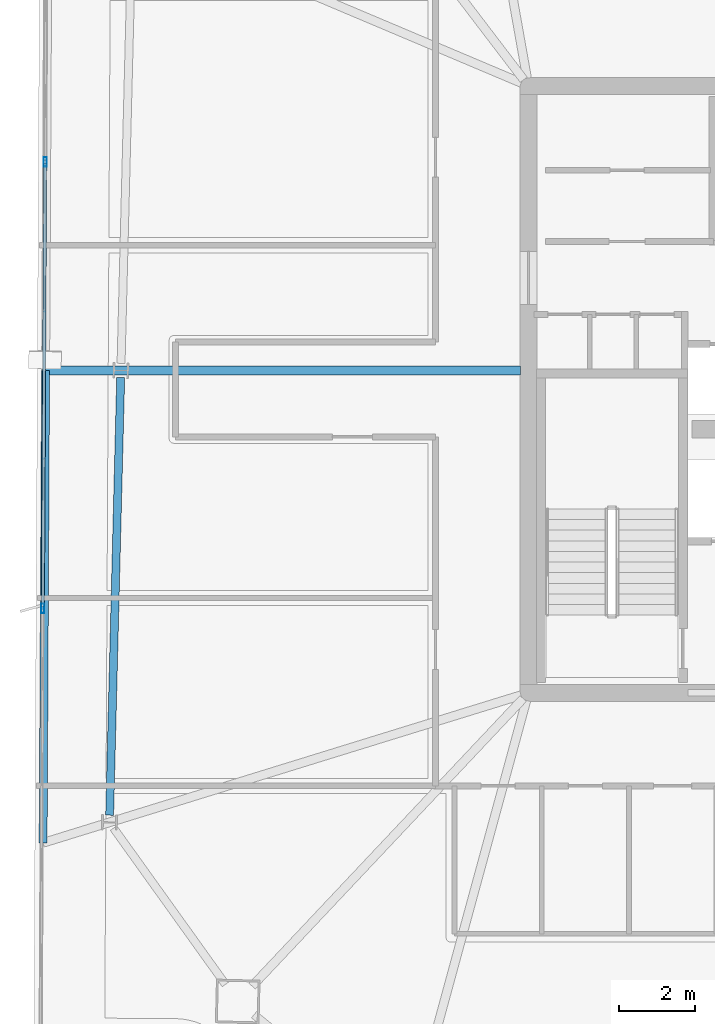
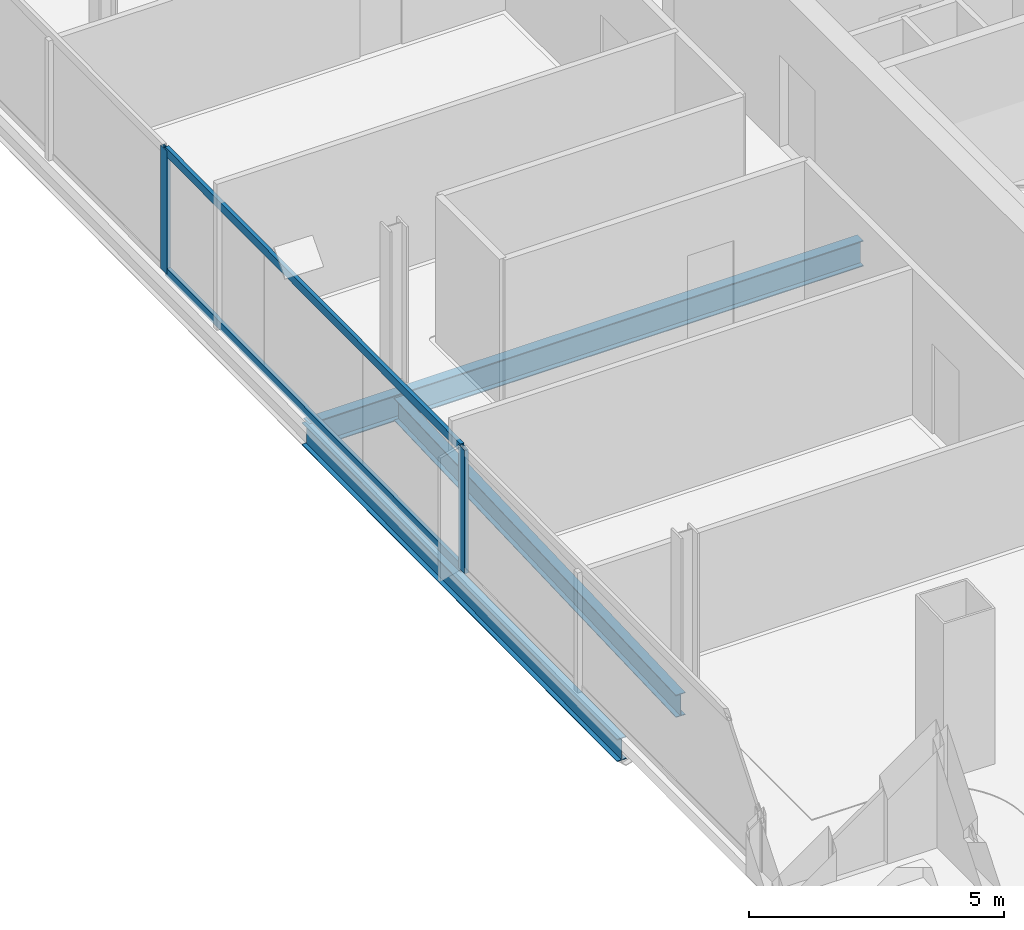
# One storey, part 6 of 24: 4 members, 3 beams, 1 element without a shape of its own.
"""IFC4 building model written with IfcOpenShell, lengths in metres."""

from ifc_helpers import new_model, si_unit, direction, frame, origin, origin_2d, place, context, subcontext, project, spatial, hollow_rectangle, i_section, extrude, material, material_profile, profile_set, type_object, element, aggregate, save


model = new_model("IFC4")

# Units and contexts
model_context = context("Model", 3, precision=1e-05, world=origin(), true_north=direction((0.0, 1.0)))
body_context = subcontext(model_context, "Body", "Model", "MODEL_VIEW")
ifc_project = project(units=[si_unit("LENGTHUNIT", "METRE"), si_unit("AREAUNIT", "SQUARE_METRE"), si_unit("VOLUMEUNIT", "CUBIC_METRE"), si_unit("PLANEANGLEUNIT", "RADIAN"), si_unit("MASSUNIT", "GRAM", prefix="KILO")], contexts=[model_context])

# Site, building, storey
site_placement = place(None, origin())
site = spatial("IfcSite", under=ifc_project, at=site_placement, CompositionType="ELEMENT")
building_placement = place(site_placement, origin())
building = spatial("IfcBuilding", under=site, at=building_placement, Name="Haldenkirk Collegiate Tower", CompositionType="ELEMENT")
storey_placement = place(building_placement, frame((0.0, 0.0, 328.949951171875)))
storey = spatial("IfcBuildingStorey", under=building, at=storey_placement, Name="L83", CompositionType="ELEMENT", Elevation=328.949951171875)

# Beams
ifc_material_1 = material(Name="Steel ASTM A992 Grade 50", Category="steel")
ifc_material_profile_1 = material_profile(ifc_material_1, i_section(OverallWidth=0.22998046875, OverallDepth=0.616943359375, WebThickness=0.01318359375, FlangeThickness=0.022216796875, at=origin_2d()), Name="W24X94")
ifc_profile_set_1 = profile_set([ifc_material_profile_1], Name="Steel ASTM A992 Grade 50")
beam_type_1 = type_object("IfcBeamType", Name="BM-GIRDER-W24X94", PredefinedType="BEAM", material=ifc_profile_set_1)
beam_1_placement = place(storey_placement, frame((14.272216796875, 26.499755859375, -0.568359375), z_axis=(1.0, 0.0, 0.0), x_axis=(0.0, 1.0, 0.0)))
element("IfcBeam", 1, at=beam_1_placement, inside=storey, type_object=beam_type_1, Name="L83 primary floor girder 12", PredefinedType="BEAM", context=body_context, shape_type="SweptSolid", body=[
    extrude(i_section(OverallWidth=0.22998046875, OverallDepth=0.616943359375, WebThickness=0.01318359375, FlangeThickness=0.022216796875, at=origin_2d()), origin(), (0.0, 0.0, 1.0), 12.522705078125),
])
ifc_material_profile_2 = material_profile(ifc_material_1, i_section(OverallWidth=0.2099609375, OverallDepth=0.537109375, WebThickness=0.010986328125, FlangeThickness=0.017333984375, at=origin_2d()), Name="W21X68")
ifc_profile_set_2 = profile_set([ifc_material_profile_2], Name="Steel ASTM A992 Grade 50")
beam_type_2 = type_object("IfcBeamType", Name="BM-SPANDREL-W21X68", PredefinedType="SPANDREL", material=ifc_profile_set_2)
beam_2_placement = place(storey_placement, frame((16.25146484375, 26.31201171875, -0.528564453125), z_axis=(-0.02528078186, -0.999680389959, 0.0), x_axis=(0.999680389959, -0.02528078186, 0.0)))
element("IfcBeam", 2, at=beam_2_placement, inside=storey, type_object=beam_type_2, Name="L83 perimeter spandrel beam 11", PredefinedType="SPANDREL", context=body_context, shape_type="SweptSolid", body=[
    extrude(i_section(OverallWidth=0.2099609375, OverallDepth=0.537109375, WebThickness=0.010986328125, FlangeThickness=0.017333984375, at=origin_2d()), origin(), (0.0, 0.0, 1.0), 11.540283203125),
])
beam_3_placement = place(storey_placement, frame((14.272216796875, 26.499755859375, -0.528564453125), z_axis=(-0.005234811812, -0.999986298279, 0.0), x_axis=(0.999986298279, -0.005234811812, 0.0)))
element("IfcBeam", 3, at=beam_3_placement, inside=storey, type_object=beam_type_2, Name="L83 outer facade edge beam 3B", PredefinedType="SPANDREL", context=body_context, shape_type="SweptSolid", body=[
    extrude(i_section(OverallWidth=0.2099609375, OverallDepth=0.537109375, WebThickness=0.010986328125, FlangeThickness=0.017333984375, at=origin_2d()), origin(), (0.0, 0.0, 1.0), 12.452392578125),
])

# Curtain wall, members
ifc_material_2 = material(Name="Anodised architectural bronze aluminium", Category="aluminium")
curtain_wall_type = type_object("IfcCurtainWallType", Name="CW-SYS1B-CONVEX-HI", PredefinedType="USERDEFINED", material=ifc_material_2)
curtain_wall_placement = place(storey_placement, origin())
curtain_wall = element("IfcCurtainWall", 4, at=curtain_wall_placement, inside=storey, type_object=curtain_wall_type, Name="L83 Upper tower high-wind convex bronze unitised curtain wall", ObjectType="UNITISED CURTAIN WALL", PredefinedType="USERDEFINED")
ifc_material_profile_3 = material_profile(ifc_material_2, hollow_rectangle(XDim=0.0849609375, YDim=0.25, WallThickness=0.0048828125, at=origin_2d()), Name="CW-MUL-1B")
ifc_profile_set_3 = profile_set([ifc_material_profile_3], Name="Anodised architectural bronze aluminium")
member_type_1 = type_object("IfcMemberType", Name="CW-MUL-1B", PredefinedType="MULLION", material=ifc_profile_set_3)
member_1_placement = place(storey_placement, frame((14.199462890625, 20.230712890625, 0.0), z_axis=(0.0, 0.0, 1.0), x_axis=(-0.999986296614, 0.00523512989, 0.0)))
member_1 = element("IfcMember", 5, at=member_1_placement, type_object=member_type_1, Name="CW-1B mullion 2", PredefinedType="MULLION", context=body_context, shape_type="SweptSolid", body=[
    extrude(hollow_rectangle(XDim=0.0849609375, YDim=0.25, WallThickness=0.0048828125, at=origin_2d()), origin(), (0.0, 0.0, 1.0), 2.947998046875),
])
member_2_placement = place(storey_placement, frame((14.260986328125, 31.997314453125, 0.0), z_axis=(0.0, 0.0, 1.0), x_axis=(-0.999986296614, 0.00523512989, 0.0)))
member_2 = element("IfcMember", 6, at=member_2_placement, type_object=member_type_1, Name="CW-1B mullion 3", PredefinedType="MULLION", context=body_context, shape_type="SweptSolid", body=[
    extrude(hollow_rectangle(XDim=0.0849609375, YDim=0.25, WallThickness=0.0048828125, at=origin_2d()), origin(), (0.0, 0.0, 1.0), 2.947998046875),
])
ifc_material_profile_4 = material_profile(ifc_material_2, hollow_rectangle(XDim=0.0849609375, YDim=0.199951171875, WallThickness=0.0048828125, at=origin_2d()), Name="CW-TRN-1B")
ifc_profile_set_4 = profile_set([ifc_material_profile_4], Name="Anodised architectural bronze aluminium")
member_type_2 = type_object("IfcMemberType", Name="CW-TRN-1B", PredefinedType="USERDEFINED", material=ifc_profile_set_4)
member_3_placement = place(storey_placement, frame((14.19970703125, 20.273193359375, 0.04248046875), z_axis=(0.005245706122, 0.999986241189, 0.0), x_axis=(-0.999986241189, 0.005245706122, 0.0)))
member_3 = element("IfcMember", 7, at=member_3_placement, type_object=member_type_2, Name="CW-1B transom 2.1", ObjectType="TRANSOM", PredefinedType="USERDEFINED", context=body_context, shape_type="SweptSolid", body=[
    extrude(hollow_rectangle(XDim=0.0849609375, YDim=0.199951171875, WallThickness=0.0048828125, at=origin_2d()), origin(), (0.0, 0.0, 1.0), 11.681884765625),
])
member_4_placement = place(storey_placement, frame((14.19970703125, 20.273193359375, 2.905517578125), z_axis=(0.005245706122, 0.999986241189, 0.0), x_axis=(-0.999986241189, 0.005245706122, 0.0)))
member_4 = element("IfcMember", 8, at=member_4_placement, type_object=member_type_2, Name="CW-1B transom 2.2", ObjectType="TRANSOM", PredefinedType="USERDEFINED", context=body_context, shape_type="SweptSolid", body=[
    extrude(hollow_rectangle(XDim=0.0849609375, YDim=0.199951171875, WallThickness=0.0048828125, at=origin_2d()), origin(), (0.0, 0.0, 1.0), 11.681884765625),
])
aggregate(curtain_wall, [member_1, member_2, member_3, member_4])

save(model, "model.ifc")
